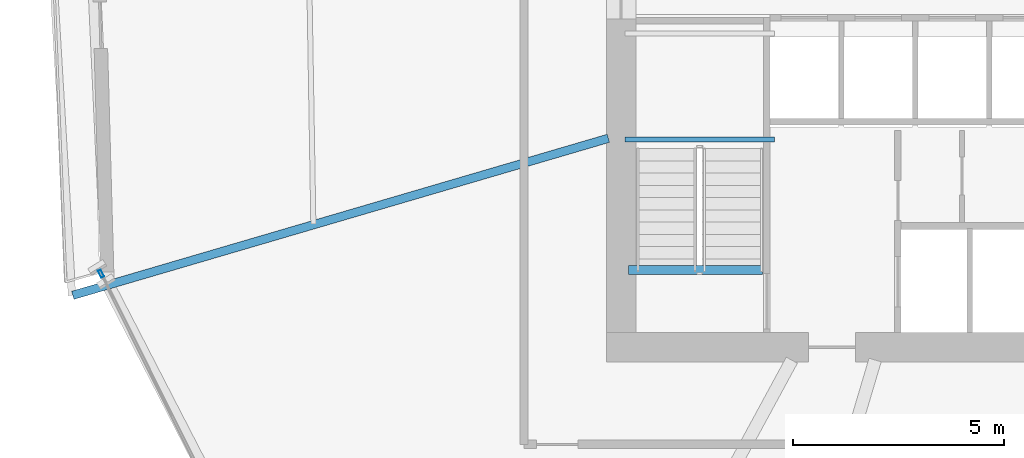
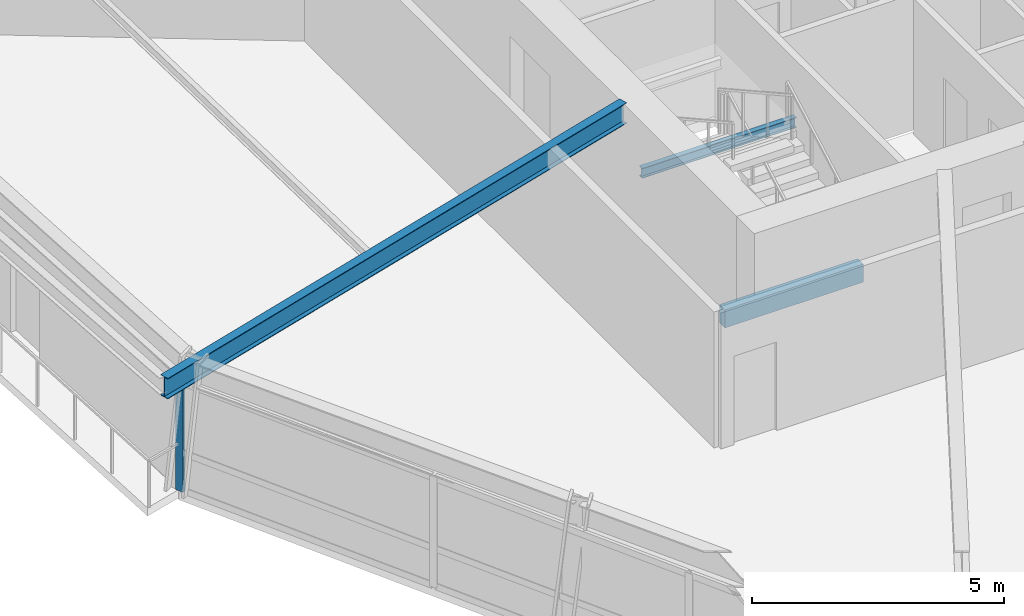
# One storey, part 4 of 20: 3 beams, 1 member, 1 element without a shape of its own.
"""IFC4 building model written with IfcOpenShell, lengths in metres."""

from ifc_helpers import new_model, si_unit, direction, frame, origin, origin_2d, place, context, subcontext, project, spatial, rectangle, hollow_rectangle, i_section, extrude, source, transform, mapped, material, material_profile, profile_set, type_object, element, aggregate, save


model = new_model("IFC4")

# Units and contexts
model_context = context("Model", 3, precision=1e-05, world=origin(), true_north=direction((0.0, 1.0)))
body_context = subcontext(model_context, "Body", "Model", "MODEL_VIEW")
ifc_project = project(units=[si_unit("LENGTHUNIT", "METRE"), si_unit("AREAUNIT", "SQUARE_METRE"), si_unit("VOLUMEUNIT", "CUBIC_METRE"), si_unit("PLANEANGLEUNIT", "RADIAN"), si_unit("MASSUNIT", "GRAM", prefix="KILO")], contexts=[model_context])

# Site, building, storey
site_placement = place(None, origin())
site = spatial("IfcSite", under=ifc_project, at=site_placement, CompositionType="ELEMENT")
building_placement = place(site_placement, origin())
building = spatial("IfcBuilding", under=site, at=building_placement, Name="Olszyna Solenne Hotel", CompositionType="ELEMENT")
storey_placement = place(building_placement, frame((0.0, 0.0, 98.60009765625)))
storey = spatial("IfcBuildingStorey", under=building, at=storey_placement, Name="L25", CompositionType="ELEMENT", Elevation=98.60009765625)

# Beam
ifc_material_1 = material(Name="Steel S355J2", Category="steel")
ifc_material_profile_1 = material_profile(ifc_material_1, i_section(OverallWidth=0.199951171875, OverallDepth=0.5, WebThickness=0.01025390625, FlangeThickness=0.01611328125, at=origin_2d()), Name="IPE 500", Category="load-bearing")
ifc_profile_set_1 = profile_set([ifc_material_profile_1], Name="Steel S355J2")
beam_type_1 = type_object("IfcBeamType", Name="BM-F3", PredefinedType="BEAM", material=ifc_profile_set_1)
shared_shape_1 = source(origin(), body_context, "Body", "SweptSolid", [
    extrude(i_section(OverallWidth=0.199951171875, OverallDepth=0.5, WebThickness=0.01025390625, FlangeThickness=0.01611328125, at=origin_2d()), origin(), (0.0, 0.0, 1.0), 13.213134765625),
])
beam_1_placement = place(storey_placement, frame((16.768310546875, 20.380126953125, 3.0498046875), z_axis=(0.959626652148, 0.281276889357, 0.0), x_axis=(-0.281276889357, 0.959626652148, 0.0)))
element("IfcBeam", 1, at=beam_1_placement, inside=storey, type_object=beam_type_1, Name="Radial floor girder BM-F3 B-L25-0767", PredefinedType="BEAM", context=body_context, shape_type="MappedRepresentation", body=[
    mapped(shared_shape_1, transform((0.0, 0.0, 0.0), x_axis=(1.0, 0.0, 0.0), y_axis=(0.0, 1.0, 0.0), z_axis=(0.0, 0.0, 1.0), scale=1.0)),
])

# Curtain wall, member
ifc_material_2 = material(Name="Anodised bronze aluminium", Category="aluminium")
curtain_wall_type = type_object("IfcCurtainWallType", Name="CW-SYS-3", PredefinedType="NOTDEFINED", material=ifc_material_2)
curtain_wall_placement = place(storey_placement, origin())
curtain_wall = element("IfcCurtainWall", 2, at=curtain_wall_placement, inside=storey, type_object=curtain_wall_type, Name="Unitised curtain wall CW-SYS-3 CW-L25-01", PredefinedType="NOTDEFINED")
ifc_material_profile_2 = material_profile(ifc_material_2, hollow_rectangle(XDim=0.074951171875, YDim=0.179931640625, WallThickness=0.00439453125, at=origin_2d()), Name="MULL 180x75x4.5", Category="load-bearing")
ifc_profile_set_2 = profile_set([ifc_material_profile_2], Name="Anodised bronze aluminium")
member_type = type_object("IfcMemberType", Name="CW-M2", PredefinedType="MULLION", material=ifc_profile_set_2)
shared_shape_2 = source(origin(), body_context, "Body", "SweptSolid", [
    extrude(hollow_rectangle(XDim=0.074951171875, YDim=0.179931640625, WallThickness=0.00439453125, at=origin_2d()), origin(), (0.0, 0.0, 1.0), 2.69189453125),
])
member_placement = place(storey_placement, frame((17.4365234375, 20.892822265625, 0.0), z_axis=(0.0, 0.0, 1.0), x_axis=(0.894800294413, 0.446466609186, 0.0)))
member = element("IfcMember", 3, at=member_placement, type_object=member_type, Name="Curtain-wall mullion CW-M2 CM-L25-01-01", PredefinedType="MULLION", context=body_context, shape_type="MappedRepresentation", body=[
    mapped(shared_shape_2, transform((0.0, 0.0, 0.0), x_axis=(1.0, 0.0, 0.0), y_axis=(0.0, 1.0, 0.0), z_axis=(0.0, 0.0, 1.0), scale=1.0)),
])
aggregate(curtain_wall, [member])

# Beams
ifc_material_profile_3 = material_profile(ifc_material_1, i_section(OverallWidth=0.1201171875, OverallDepth=0.239990234375, WebThickness=0.006103515625, FlangeThickness=0.009765625, at=origin_2d()), Name="IPE 240", Category="load-bearing")
ifc_profile_set_3 = profile_set([ifc_material_profile_3], Name="Steel S355J2")
beam_type_2 = type_object("IfcBeamType", Name="JS-03", PredefinedType="JOIST", material=ifc_profile_set_3)
shared_shape_3 = source(origin(), body_context, "Body", "SweptSolid", [
    extrude(i_section(OverallWidth=0.1201171875, OverallDepth=0.239990234375, WebThickness=0.006103515625, FlangeThickness=0.009765625, at=origin_2d()), origin(), (0.0, 0.0, 1.0), 3.539794921875),
])
beam_2_placement = place(storey_placement, frame((33.3798828125, 24.070068359375, 1.449951171875), z_axis=(-1.0, 0.0, 0.0), x_axis=(0.0, -1.0, 0.0)))
element("IfcBeam", 4, at=beam_2_placement, inside=storey, type_object=beam_type_2, Name="Stair landing support beam JS-03 SLB-ST1-0055", PredefinedType="JOIST", context=body_context, shape_type="MappedRepresentation", body=[
    mapped(shared_shape_3, transform((0.0, 0.0, 0.0), x_axis=(1.0, 0.0, 0.0), y_axis=(0.0, 1.0, 0.0), z_axis=(0.0, 0.0, 1.0), scale=1.0)),
])
ifc_material_3 = material(Name="Concrete C50/60", Category="concrete")
ifc_material_profile_4 = material_profile(ifc_material_3, rectangle(XDim=0.219970703125, YDim=0.43994140625, at=origin_2d()), Name="RC 220x440", Category="load-bearing")
ifc_profile_set_4 = profile_set([ifc_material_profile_4], Name="Concrete C50/60")
beam_type_3 = type_object("IfcBeamType", Name="BM-ST1", PredefinedType="BEAM", material=ifc_profile_set_4)
shared_shape_4 = source(origin(), body_context, "Body", "SweptSolid", [
    extrude(rectangle(XDim=0.219970703125, YDim=0.43994140625, at=origin_2d()), origin(), (0.0, 0.0, 1.0), 3.18017578125),
])
beam_3_placement = place(storey_placement, frame((33.10009765625, 20.97998046875, -0.205078125), z_axis=(-1.0, 0.0, 0.0), x_axis=(0.0, -1.0, 0.0)))
element("IfcBeam", 5, at=beam_3_placement, inside=storey, type_object=beam_type_3, Name="Concrete stair trimmer beam BM-ST1 SHB-ST1-0187", PredefinedType="BEAM", context=body_context, shape_type="MappedRepresentation", body=[
    mapped(shared_shape_4, transform((0.0, 0.0, 0.0), x_axis=(1.0, 0.0, 0.0), y_axis=(0.0, 1.0, 0.0), z_axis=(0.0, 0.0, 1.0), scale=1.0)),
])

save(model, "model.ifc")
